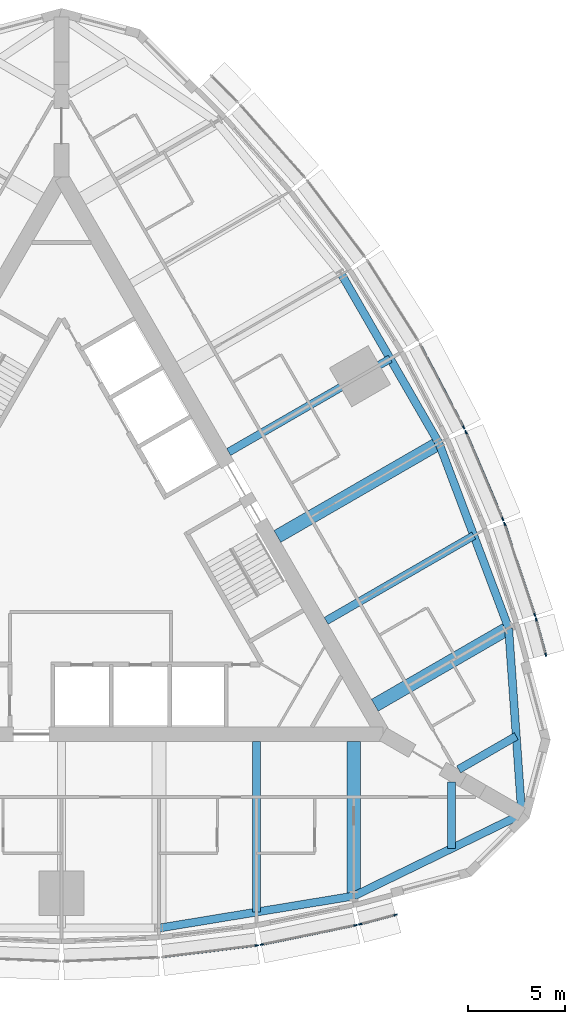
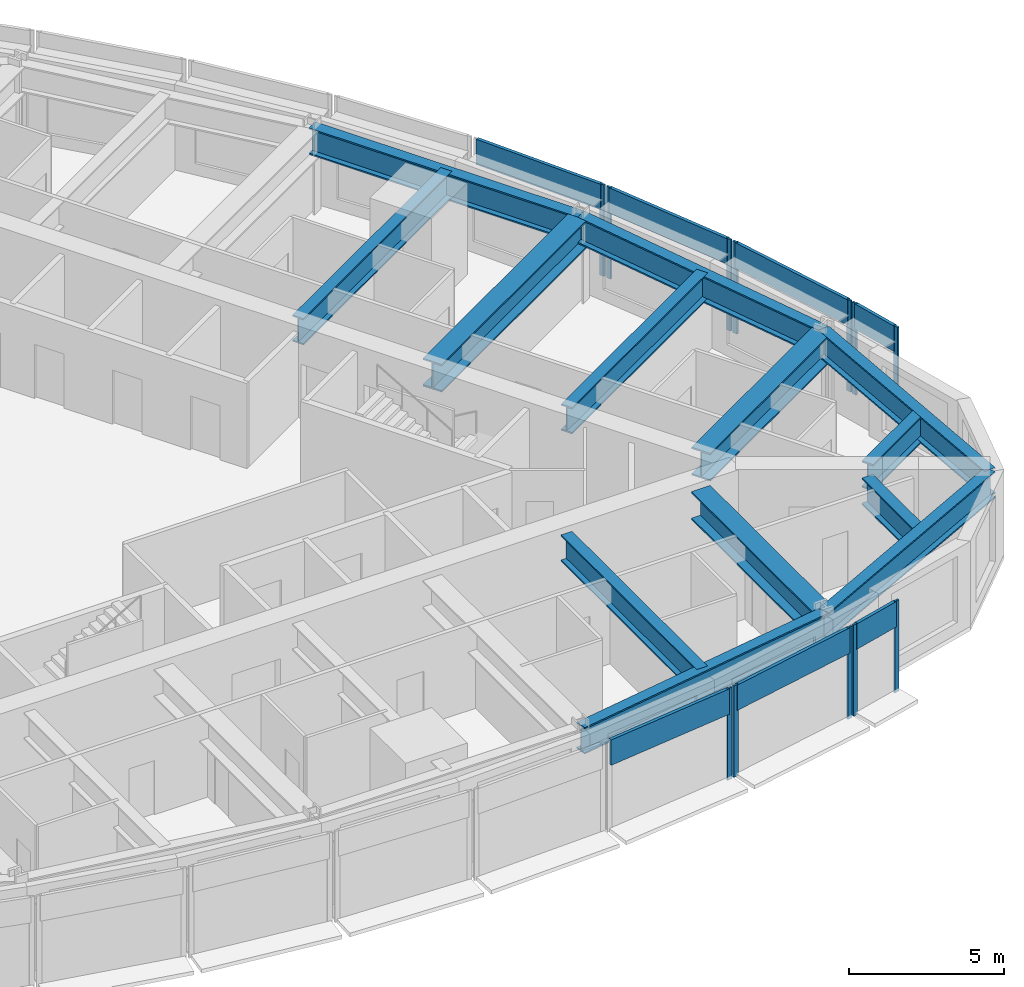
# One storey, part 4 of 15: 19 members, 13 beams, 7 elements without a shape of their own.
"""IFC4 building model written with IfcOpenShell, lengths in metres."""

from ifc_helpers import new_model, si_unit, direction, frame, origin, origin_2d, place, context, subcontext, project, spatial, rectangle, i_section, extrude, material, material_profile, profile_set, type_object, element, aggregate, save


model = new_model("IFC4")

# Units and contexts
model_context = context("Model", 3, precision=1e-05, world=origin(), true_north=direction((0.0, 1.0)))
body_context = subcontext(model_context, "Body", "Model", "MODEL_VIEW")
ifc_project = project(units=[si_unit("LENGTHUNIT", "METRE"), si_unit("AREAUNIT", "SQUARE_METRE"), si_unit("VOLUMEUNIT", "CUBIC_METRE"), si_unit("PLANEANGLEUNIT", "RADIAN"), si_unit("MASSUNIT", "GRAM", prefix="KILO")], contexts=[model_context])

# Site, building, storey
site_placement = place(None, origin())
site = spatial("IfcSite", under=ifc_project, at=site_placement, CompositionType="ELEMENT")
building_placement = place(site_placement, origin())
building = spatial("IfcBuilding", under=site, at=building_placement, Name="Trikona Tower", CompositionType="ELEMENT")
storey_placement = place(building_placement, frame((0.0, 0.0, 229.699951171875)))
storey = spatial("IfcBuildingStorey", under=building, at=storey_placement, Name="L61", CompositionType="ELEMENT", Elevation=229.699951171875)

# Curtain wall, member
ifc_material_1 = material(Name="Aluminium curtain wall system", Category="aluminium")
curtain_wall_type = type_object("IfcCurtainWallType", Name="Curtain wall DS3S", PredefinedType="NOTDEFINED", material=ifc_material_1)
curtain_wall_1_placement = place(storey_placement, origin())
curtain_wall_1 = element("IfcCurtainWall", 1, at=curtain_wall_1_placement, inside=storey, type_object=curtain_wall_type, Name="Curtain wall DS3S L61", PredefinedType="NOTDEFINED")
ifc_material_2 = material(Name="Aluminium mullion, pale anodised", Category="aluminium")
ifc_material_profile_1 = material_profile(ifc_material_2, rectangle(XDim=0.070068359375, YDim=0.179931640625, at=origin_2d()), Name="MUL-DS3S")
ifc_profile_set_1 = profile_set([ifc_material_profile_1], Name="Aluminium mullion, pale anodised")
member_type_1 = type_object("IfcMemberType", Name="Mullion DS3S 70x180", PredefinedType="MULLION", material=ifc_profile_set_1)
member_1_placement = place(storey_placement, frame((10.01611328125, -20.359130859375, 0.0), z_axis=(0.0, 0.0, 1.0), x_axis=(-0.122610640458, 0.992454850785, 0.0)))
member_1 = element("IfcMember", 2, at=member_1_placement, type_object=member_type_1, Name="CW-DS3S mullion 2", PredefinedType="MULLION", context=body_context, shape_type="SweptSolid", body=[
    extrude(rectangle(XDim=0.070068359375, YDim=0.179931640625, at=origin_2d()), origin(), (0.0, 0.0, 1.0), 3.60009765625),
])

# Curtain wall, members
curtain_wall_2_placement = place(storey_placement, origin())
curtain_wall_2 = element("IfcCurtainWall", 3, at=curtain_wall_2_placement, inside=storey, type_object=curtain_wall_type, Name="Curtain wall DS3S L61", PredefinedType="NOTDEFINED")
member_2_placement = place(storey_placement, frame((10.274658203125, -20.316650390625, 0.0), z_axis=(0.0, 0.0, 1.0), x_axis=(-0.201652920672, 0.979457043256, 0.0)))
member_2 = element("IfcMember", 4, at=member_2_placement, type_object=member_type_1, Name="CW-DS3S mullion 1", PredefinedType="MULLION", context=body_context, shape_type="SweptSolid", body=[
    extrude(rectangle(XDim=0.070068359375, YDim=0.179931640625, at=origin_2d()), origin(), (0.0, 0.0, 1.0), 3.60009765625),
])
member_3_placement = place(storey_placement, frame((15.08837890625, -19.325439453125, 0.0), z_axis=(0.0, 0.0, 1.0), x_axis=(-0.201652920672, 0.979457043256, 0.0)))
member_3 = element("IfcMember", 5, at=member_3_placement, type_object=member_type_1, Name="CW-DS3S mullion 2", PredefinedType="MULLION", context=body_context, shape_type="SweptSolid", body=[
    extrude(rectangle(XDim=0.070068359375, YDim=0.179931640625, at=origin_2d()), origin(), (0.0, 0.0, 1.0), 3.60009765625),
])

curtain_wall_3_placement = place(storey_placement, origin())
curtain_wall_3 = element("IfcCurtainWall", 6, at=curtain_wall_3_placement, inside=storey, type_object=curtain_wall_type, Name="Curtain wall DS3S L61", PredefinedType="NOTDEFINED")
member_4_placement = place(storey_placement, frame((15.321044921875, -19.27099609375, 0.0), z_axis=(0.0, 0.0, 1.0), x_axis=(-0.25478635579, 0.966997369647, 0.0)))
member_4 = element("IfcMember", 7, at=member_4_placement, type_object=member_type_1, Name="CW-DS3S mullion 1", PredefinedType="MULLION", context=body_context, shape_type="SweptSolid", body=[
    extrude(rectangle(XDim=0.070068359375, YDim=0.179931640625, at=origin_2d()), origin(), (0.0, 0.0, 1.0), 3.60009765625),
])
member_5_placement = place(storey_placement, frame((17.137451171875, -18.79248046875, 0.0), z_axis=(0.0, 0.0, 1.0), x_axis=(-0.25478635579, 0.966997369647, 0.0)))
member_5 = element("IfcMember", 8, at=member_5_placement, type_object=member_type_1, Name="CW-DS3S mullion 2", PredefinedType="MULLION", context=body_context, shape_type="SweptSolid", body=[
    extrude(rectangle(XDim=0.070068359375, YDim=0.179931640625, at=origin_2d()), origin(), (0.0, 0.0, 1.0), 3.60009765625),
])

curtain_wall_4_placement = place(storey_placement, origin())
curtain_wall_4 = element("IfcCurtainWall", 9, at=curtain_wall_4_placement, inside=storey, type_object=curtain_wall_type, Name="Curtain wall DS3S L61", PredefinedType="NOTDEFINED")
member_6_placement = place(storey_placement, frame((24.843505859375, -5.4453125, 0.0), z_axis=(0.0, 0.0, 1.0), x_axis=(-0.964838403494, -0.262843784676, 0.0)))
member_6 = element("IfcMember", 10, at=member_6_placement, type_object=member_type_1, Name="CW-DS3S mullion 1", PredefinedType="MULLION", context=body_context, shape_type="SweptSolid", body=[
    extrude(rectangle(XDim=0.070068359375, YDim=0.179931640625, at=origin_2d()), origin(), (0.0, 0.0, 1.0), 3.60009765625),
])
member_7_placement = place(storey_placement, frame((24.349609375, -3.633056640625, 0.0), z_axis=(0.0, 0.0, 1.0), x_axis=(-0.964838403494, -0.262843784676, 0.0)))
member_7 = element("IfcMember", 11, at=member_7_placement, type_object=member_type_1, Name="CW-DS3S mullion 2", PredefinedType="MULLION", context=body_context, shape_type="SweptSolid", body=[
    extrude(rectangle(XDim=0.070068359375, YDim=0.179931640625, at=origin_2d()), origin(), (0.0, 0.0, 1.0), 3.60009765625),
])

curtain_wall_5_placement = place(storey_placement, origin())
curtain_wall_5 = element("IfcCurtainWall", 12, at=curtain_wall_5_placement, inside=storey, type_object=curtain_wall_type, Name="Curtain wall DS3S L61", PredefinedType="NOTDEFINED")
member_8_placement = place(storey_placement, frame((24.280517578125, -3.404296875, 0.0), z_axis=(0.0, 0.0, 1.0), x_axis=(-0.949065766708, -0.315078038687, 0.0)))
member_8 = element("IfcMember", 13, at=member_8_placement, type_object=member_type_1, Name="CW-DS3S mullion 1", PredefinedType="MULLION", context=body_context, shape_type="SweptSolid", body=[
    extrude(rectangle(XDim=0.070068359375, YDim=0.179931640625, at=origin_2d()), origin(), (0.0, 0.0, 1.0), 3.60009765625),
])
member_9_placement = place(storey_placement, frame((22.73193359375, 1.26025390625, 0.0), z_axis=(0.0, 0.0, 1.0), x_axis=(-0.949065766708, -0.315078038687, 0.0)))
member_9 = element("IfcMember", 14, at=member_9_placement, type_object=member_type_1, Name="CW-DS3S mullion 2", PredefinedType="MULLION", context=body_context, shape_type="SweptSolid", body=[
    extrude(rectangle(XDim=0.070068359375, YDim=0.179931640625, at=origin_2d()), origin(), (0.0, 0.0, 1.0), 3.60009765625),
])

curtain_wall_6_placement = place(storey_placement, origin())
curtain_wall_6 = element("IfcCurtainWall", 15, at=curtain_wall_6_placement, inside=storey, type_object=curtain_wall_type, Name="Curtain wall DS3S L61", PredefinedType="NOTDEFINED")
member_10_placement = place(storey_placement, frame((22.6396484375, 1.50537109375, 0.0), z_axis=(0.0, 0.0, 1.0), x_axis=(-0.920792322808, -0.390053199266, 0.0)))
member_10 = element("IfcMember", 16, at=member_10_placement, type_object=member_type_1, Name="CW-DS3S mullion 1", PredefinedType="MULLION", context=body_context, shape_type="SweptSolid", body=[
    extrude(rectangle(XDim=0.070068359375, YDim=0.179931640625, at=origin_2d()), origin(), (0.0, 0.0, 1.0), 3.60009765625),
])
member_11_placement = place(storey_placement, frame((20.74853515625, 5.969482421875, 0.0), z_axis=(0.0, 0.0, 1.0), x_axis=(-0.920792322808, -0.390053199266, 0.0)))
member_11 = element("IfcMember", 17, at=member_11_placement, type_object=member_type_1, Name="CW-DS3S mullion 2", PredefinedType="MULLION", context=body_context, shape_type="SweptSolid", body=[
    extrude(rectangle(XDim=0.070068359375, YDim=0.179931640625, at=origin_2d()), origin(), (0.0, 0.0, 1.0), 3.60009765625),
])

# Curtain wall, member
curtain_wall_7_placement = place(storey_placement, origin())
curtain_wall_7 = element("IfcCurtainWall", 18, at=curtain_wall_7_placement, inside=storey, type_object=curtain_wall_type, Name="Curtain wall DS3S L61", PredefinedType="NOTDEFINED")
member_12_placement = place(storey_placement, frame((20.635986328125, 6.20751953125, 0.0), z_axis=(0.0, 0.0, 1.0), x_axis=(-0.885862390527, -0.463948084434, 0.0)))
member_12 = element("IfcMember", 19, at=member_12_placement, type_object=member_type_1, Name="CW-DS3S mullion 1", PredefinedType="MULLION", context=body_context, shape_type="SweptSolid", body=[
    extrude(rectangle(XDim=0.070068359375, YDim=0.179931640625, at=origin_2d()), origin(), (0.0, 0.0, 1.0), 3.60009765625),
])

# Beams
ifc_material_3 = material(Name="Steel ASTM A992 Grade 50", Category="steel")
ifc_material_profile_2 = material_profile(ifc_material_3, i_section(OverallWidth=0.699951171875, OverallDepth=1.10009765625, WebThickness=0.0400390625, FlangeThickness=0.06005859375, at=origin_2d()), Name="PG1100X700")
ifc_profile_set_2 = profile_set([ifc_material_profile_2], Name="Steel ASTM A992 Grade 50")
beam_type_1 = type_object("IfcBeamType", Name="Steel beam PG1100x700 (belt chord radial)", PredefinedType="BEAM", material=ifc_profile_set_2)
for number, where, z_axis, x_axis, name in (
    (20, (15.0, -9.9013671875, 2.800048828125), (0.0, -1.0, 0.0), (1.0, 0.0, 0.0), "Floor beam L62 F1 u15"),
    (21, (16.07470703125, -8.039794921875, 2.800048828125), (0.866019853763, 0.500009612796, 0.0), (-0.500009612796, 0.866019853763, 0.0), "Floor beam L62 F2 u-15"),
):
    element("IfcBeam", number, at=place(storey_placement, frame(where, z_axis=z_axis, x_axis=x_axis)), inside=storey, type_object=beam_type_1, Name=name, PredefinedType="BEAM", context=body_context, shape_type="SweptSolid", body=[
        extrude(i_section(OverallWidth=0.699951171875, OverallDepth=1.10009765625, WebThickness=0.0400390625, FlangeThickness=0.06005859375, at=origin_2d()), origin(), (0.0, 0.0, 1.0), 7.923583984375),
    ])
beam_1_placement = place(storey_placement, frame((11.07470703125, 0.62060546875, 2.800048828125), z_axis=(0.866025863714, 0.499999203377, 0.0), x_axis=(-0.499999203377, 0.866025863714, 0.0)))
element("IfcBeam", 22, at=beam_1_placement, inside=storey, type_object=beam_type_1, Name="Floor beam L62 F2 u-5", PredefinedType="BEAM", context=body_context, shape_type="SweptSolid", body=[
    extrude(i_section(OverallWidth=0.699951171875, OverallDepth=1.10009765625, WebThickness=0.0400390625, FlangeThickness=0.06005859375, at=origin_2d()), origin(), (0.0, 0.0, 1.0), 9.57080078125),
])
ifc_material_4 = material(Name="Steel ASTM A992 Grade 50", Category="steel")
ifc_material_profile_3 = material_profile(ifc_material_4, i_section(OverallWidth=0.408935546875, OverallDepth=1.04150390625, WebThickness=0.031005859375, FlangeThickness=0.055908203125, at=origin_2d()), Name="W40X397")
ifc_profile_set_3 = profile_set([ifc_material_profile_3], Name="Steel ASTM A992 Grade 50")
beam_type_2 = type_object("IfcBeamType", Name="Steel beam W40x397 (plant spandrel)", PredefinedType="SPANDREL", material=ifc_profile_set_3)
beam_2_placement = place(storey_placement, frame((5.0, -19.471923828125, 2.829345703125), z_axis=(0.986707228918, 0.162507982575, 0.0), x_axis=(-0.162507982575, 0.986707228918, 0.0)))
element("IfcBeam", 23, at=beam_2_placement, inside=storey, type_object=beam_type_2, Name="Spandrel beam L62 F1-4", PredefinedType="SPANDREL", context=body_context, shape_type="SweptSolid", body=[
    extrude(i_section(OverallWidth=0.408935546875, OverallDepth=1.04150390625, WebThickness=0.031005859375, FlangeThickness=0.055908203125, at=origin_2d()), origin(), (0.0, 0.0, 1.0), 10.134765625),
])
beam_3_placement = place(storey_placement, frame((15.0, -17.824951171875, 2.829345703125), z_axis=(0.899038503257, 0.437869580652, 0.0), x_axis=(-0.437869580652, 0.899038503257, 0.0)))
element("IfcBeam", 24, at=beam_3_placement, inside=storey, type_object=beam_type_2, Name="Spandrel beam L62 F1-5", PredefinedType="SPANDREL", context=body_context, shape_type="SweptSolid", body=[
    extrude(i_section(OverallWidth=0.408935546875, OverallDepth=1.04150390625, WebThickness=0.031005859375, FlangeThickness=0.055908203125, at=origin_2d()), origin(), (0.0, 0.0, 1.0), 9.577392578125),
])
beam_4_placement = place(storey_placement, frame((23.6103515625, -13.63134765625, 2.829345703125), z_axis=(-0.07033215835, 0.997523627541, 0.0), x_axis=(-0.997523627541, -0.07033215835, 0.0)))
element("IfcBeam", 25, at=beam_4_placement, inside=storey, type_object=beam_type_2, Name="Spandrel beam L62 F2-1", PredefinedType="SPANDREL", context=body_context, shape_type="SweptSolid", body=[
    extrude(i_section(OverallWidth=0.408935546875, OverallDepth=1.04150390625, WebThickness=0.031005859375, FlangeThickness=0.055908203125, at=origin_2d()), origin(), (0.0, 0.0, 1.0), 9.5771484375),
])
beam_5_placement = place(storey_placement, frame((22.936767578125, -4.077880859375, 2.829345703125), z_axis=(-0.352596088442, 0.935775613283, 0.0), x_axis=(-0.935775613283, -0.352596088442, 0.0)))
element("IfcBeam", 26, at=beam_5_placement, inside=storey, type_object=beam_type_2, Name="Spandrel beam L62 F2-2", PredefinedType="SPANDREL", context=body_context, shape_type="SweptSolid", body=[
    extrude(i_section(OverallWidth=0.408935546875, OverallDepth=1.04150390625, WebThickness=0.031005859375, FlangeThickness=0.055908203125, at=origin_2d()), origin(), (0.0, 0.0, 1.0), 10.134765625),
])
beam_6_placement = place(storey_placement, frame((19.36328125, 5.406005859375, 2.829345703125), z_axis=(-0.500004234368, 0.866022959057, 0.0), x_axis=(-0.866022959057, -0.500004234368, 0.0)))
element("IfcBeam", 27, at=beam_6_placement, inside=storey, type_object=beam_type_2, Name="Spandrel beam L62 F2-3", PredefinedType="SPANDREL", context=body_context, shape_type="SweptSolid", body=[
    extrude(i_section(OverallWidth=0.408935546875, OverallDepth=1.04150390625, WebThickness=0.031005859375, FlangeThickness=0.055908203125, at=origin_2d()), origin(), (0.0, 0.0, 1.0), 10.0),
])
ifc_material_5 = material(Name="Steel ASTM A992 Grade 50", Category="steel")
ifc_material_profile_4 = material_profile(ifc_material_5, i_section(OverallWidth=0.408935546875, OverallDepth=1.04150390625, WebThickness=0.031005859375, FlangeThickness=0.055908203125, at=origin_2d()), Name="W40X397")
ifc_profile_set_4 = profile_set([ifc_material_profile_4], Name="Steel ASTM A992 Grade 50")
beam_type_3 = type_object("IfcBeamType", Name="Steel beam W40x397 (plant)", PredefinedType="BEAM", material=ifc_profile_set_4)
beam_7_placement = place(storey_placement, frame((10.0, -9.9013671875, 2.829345703125), z_axis=(0.0, -1.0, 0.0), x_axis=(1.0, 0.0, 0.0)))
element("IfcBeam", 28, at=beam_7_placement, inside=storey, type_object=beam_type_3, Name="Floor beam L62 F1 u10", PredefinedType="BEAM", context=body_context, shape_type="SweptSolid", body=[
    extrude(i_section(OverallWidth=0.408935546875, OverallDepth=1.04150390625, WebThickness=0.031005859375, FlangeThickness=0.055908203125, at=origin_2d()), origin(), (0.0, 0.0, 1.0), 8.7470703125),
])
beam_8_placement = place(storey_placement, frame((13.57470703125, -3.709716796875, 2.829345703125), z_axis=(0.866013609749, 0.500020427312, 0.0), x_axis=(-0.500020427312, 0.866013609749, 0.0)))
element("IfcBeam", 29, at=beam_8_placement, inside=storey, type_object=beam_type_3, Name="Floor beam L62 F2 u-10", PredefinedType="BEAM", context=body_context, shape_type="SweptSolid", body=[
    extrude(i_section(OverallWidth=0.408935546875, OverallDepth=1.04150390625, WebThickness=0.031005859375, FlangeThickness=0.055908203125, at=origin_2d()), origin(), (0.0, 0.0, 1.0), 8.747314453125),
])
beam_9_placement = place(storey_placement, frame((8.57470703125, 4.95068359375, 2.829345703125), z_axis=(0.866025863714, 0.499999203377, 0.0), x_axis=(-0.499999203377, 0.866025863714, 0.0)))
element("IfcBeam", 30, at=beam_9_placement, inside=storey, type_object=beam_type_3, Name="Floor beam L62 F2 u0", PredefinedType="BEAM", context=body_context, shape_type="SweptSolid", body=[
    extrude(i_section(OverallWidth=0.408935546875, OverallDepth=1.04150390625, WebThickness=0.031005859375, FlangeThickness=0.055908203125, at=origin_2d()), origin(), (0.0, 0.0, 1.0), 9.57080078125),
])
ifc_material_6 = material(Name="Steel ASTM A992 Grade 50", Category="steel")
ifc_material_profile_5 = material_profile(ifc_material_6, i_section(OverallWidth=0.411376953125, OverallDepth=1.049072265625, WebThickness=0.033935546875, FlangeThickness=0.06005859375, at=origin_2d()), Name="W40X431")
ifc_profile_set_5 = profile_set([ifc_material_profile_5], Name="Steel ASTM A992 Grade 50")
beam_type_4 = type_object("IfcBeamType", Name="Steel beam W40x431 (plant wedge)", PredefinedType="BEAM", material=ifc_profile_set_5)
beam_10_placement = place(storey_placement, frame((20.0, -11.97998046875, 2.825439453125), z_axis=(0.0, -1.0, 0.0), x_axis=(1.0, 0.0, 0.0)))
element("IfcBeam", 31, at=beam_10_placement, inside=storey, type_object=beam_type_4, Name="Floor beam L62 F1 u20", PredefinedType="BEAM", context=body_context, shape_type="SweptSolid", body=[
    extrude(i_section(OverallWidth=0.411376953125, OverallDepth=1.049072265625, WebThickness=0.033935546875, FlangeThickness=0.06005859375, at=origin_2d()), origin(), (0.0, 0.0, 1.0), 3.40966796875),
])
beam_11_placement = place(storey_placement, frame((20.375, -11.33056640625, 2.825439453125), z_axis=(0.865995995653, 0.500050932918, 0.0), x_axis=(-0.500050932918, 0.865995995653, 0.0)))
element("IfcBeam", 32, at=beam_11_placement, inside=storey, type_object=beam_type_4, Name="Floor beam L62 F2 u-20", PredefinedType="BEAM", context=body_context, shape_type="SweptSolid", body=[
    extrude(i_section(OverallWidth=0.411376953125, OverallDepth=1.049072265625, WebThickness=0.033935546875, FlangeThickness=0.06005859375, at=origin_2d()), origin(), (0.0, 0.0, 1.0), 3.409912109375),
])

# Member
ifc_material_7 = material(Name="Aluminium transom, pale anodised", Category="aluminium")
ifc_material_profile_6 = material_profile(ifc_material_7, rectangle(XDim=0.1201171875, YDim=1.0, at=origin_2d()), Name="TRN-DS3S")
ifc_profile_set_6 = profile_set([ifc_material_profile_6], Name="Aluminium transom, pale anodised")
member_type_2 = type_object("IfcMemberType", Name="Transom DS3S 1000x120", PredefinedType="USERDEFINED", material=ifc_profile_set_6)
member_13_placement = place(storey_placement, frame((5.2392578125, -20.94921875, 3.10009765625), z_axis=(0.992459172161, 0.122575656611, 0.0), x_axis=(-0.122575656611, 0.992459172161, 0.0)))
member_13 = element("IfcMember", 33, at=member_13_placement, type_object=member_type_2, Name="CW-DS3S transom 1.1", ObjectType="TRANSOM", PredefinedType="USERDEFINED", context=body_context, shape_type="SweptSolid", body=[
    extrude(rectangle(XDim=0.1201171875, YDim=1.0, at=origin_2d()), origin(), (0.0, 0.0, 1.0), 4.7783203125),
])

aggregate(curtain_wall_1, [member_1, member_13])

member_14_placement = place(storey_placement, frame((10.308837890625, -20.3095703125, 3.10009765625), z_axis=(0.979454408611, 0.201665717099, 0.0), x_axis=(-0.201665717099, 0.979454408611, 0.0)))
member_14 = element("IfcMember", 34, at=member_14_placement, type_object=member_type_2, Name="CW-DS3S transom 1.1", ObjectType="TRANSOM", PredefinedType="USERDEFINED", context=body_context, shape_type="SweptSolid", body=[
    extrude(rectangle(XDim=0.1201171875, YDim=1.0, at=origin_2d()), origin(), (0.0, 0.0, 1.0), 4.844970703125),
])

aggregate(curtain_wall_2, [member_2, member_3, member_14])

member_15_placement = place(storey_placement, frame((15.35498046875, -19.261962890625, 3.10009765625), z_axis=(0.966999290683, 0.254779064719, 0.0), x_axis=(-0.254779064719, 0.966999290683, 0.0)))
member_15 = element("IfcMember", 35, at=member_15_placement, type_object=member_type_2, Name="CW-DS3S transom 1.1", ObjectType="TRANSOM", PredefinedType="USERDEFINED", context=body_context, shape_type="SweptSolid", body=[
    extrude(rectangle(XDim=0.1201171875, YDim=1.0, at=origin_2d()), origin(), (0.0, 0.0, 1.0), 1.80810546875),
])

aggregate(curtain_wall_3, [member_4, member_5, member_15])

member_16_placement = place(storey_placement, frame((24.834228515625, -5.41162109375, 3.10009765625), z_axis=(-0.262843243155, 0.964838551017, 0.0), x_axis=(-0.964838551017, -0.262843243155, 0.0)))
member_16 = element("IfcMember", 36, at=member_16_placement, type_object=member_type_2, Name="CW-DS3S transom 1.1", ObjectType="TRANSOM", PredefinedType="USERDEFINED", context=body_context, shape_type="SweptSolid", body=[
    extrude(rectangle(XDim=0.1201171875, YDim=1.0, at=origin_2d()), origin(), (0.0, 0.0, 1.0), 1.808349609375),
])

aggregate(curtain_wall_4, [member_6, member_7, member_16])

member_17_placement = place(storey_placement, frame((24.26953125, -3.370849609375, 3.10009765625), z_axis=(-0.315063426034, 0.949070617802, 0.0), x_axis=(-0.949070617802, -0.315063426034, 0.0)))
member_17 = element("IfcMember", 37, at=member_17_placement, type_object=member_type_2, Name="CW-DS3S transom 1.1", ObjectType="TRANSOM", PredefinedType="USERDEFINED", context=body_context, shape_type="SweptSolid", body=[
    extrude(rectangle(XDim=0.1201171875, YDim=1.0, at=origin_2d()), origin(), (0.0, 0.0, 1.0), 4.8447265625),
])

aggregate(curtain_wall_5, [member_8, member_9, member_17])

member_18_placement = place(storey_placement, frame((22.6259765625, 1.53759765625, 3.10009765625), z_axis=(-0.390061662668, 0.920788737614, 0.0), x_axis=(-0.920788737614, -0.390061662668, 0.0)))
member_18 = element("IfcMember", 38, at=member_18_placement, type_object=member_type_2, Name="CW-DS3S transom 1.1", ObjectType="TRANSOM", PredefinedType="USERDEFINED", context=body_context, shape_type="SweptSolid", body=[
    extrude(rectangle(XDim=0.1201171875, YDim=1.0, at=origin_2d()), origin(), (0.0, 0.0, 1.0), 4.778076171875),
])

aggregate(curtain_wall_6, [member_10, member_11, member_18])

member_19_placement = place(storey_placement, frame((20.61962890625, 6.238525390625, 3.10009765625), z_axis=(-0.463910848027, 0.885881891158, 0.0), x_axis=(-0.885881891158, -0.463910848027, 0.0)))
member_19 = element("IfcMember", 39, at=member_19_placement, type_object=member_type_2, Name="CW-DS3S transom 1.1", ObjectType="TRANSOM", PredefinedType="USERDEFINED", context=body_context, shape_type="SweptSolid", body=[
    extrude(rectangle(XDim=0.1201171875, YDim=1.0, at=origin_2d()), origin(), (0.0, 0.0, 1.0), 4.744384765625),
])

aggregate(curtain_wall_7, [member_12, member_19])

save(model, "model.ifc")
